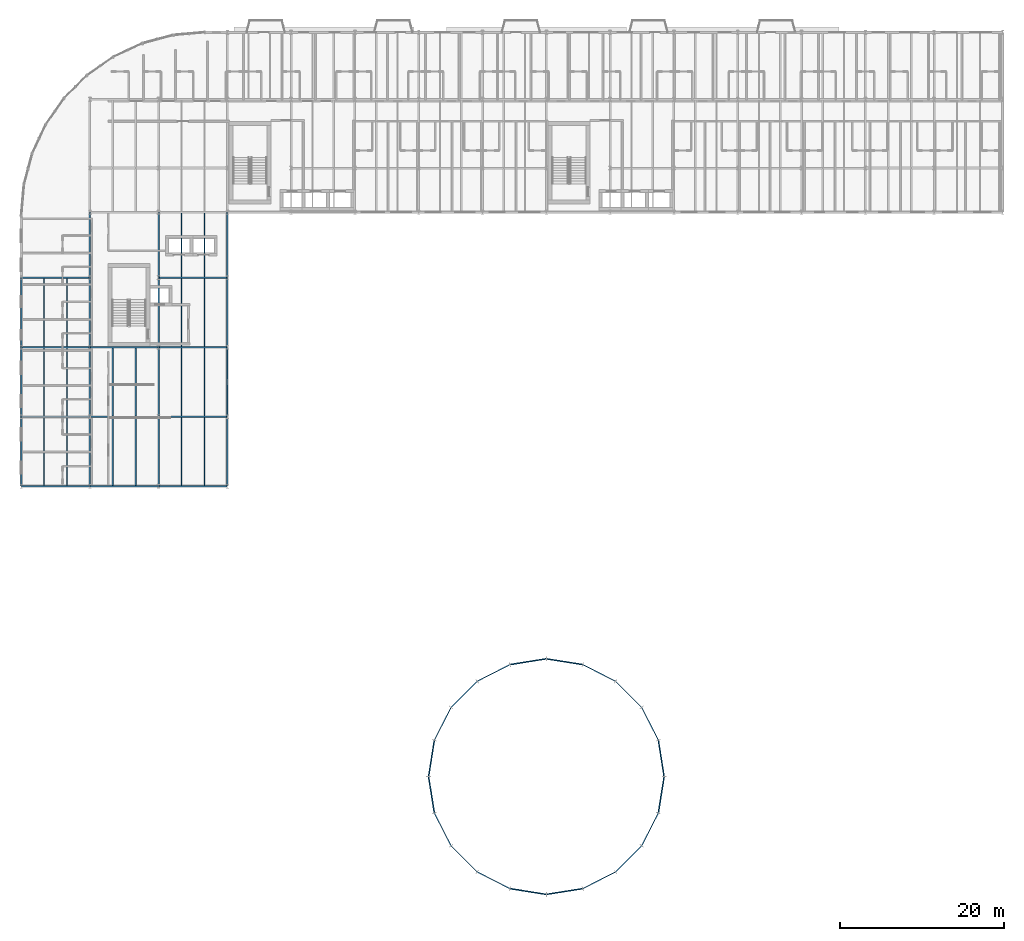
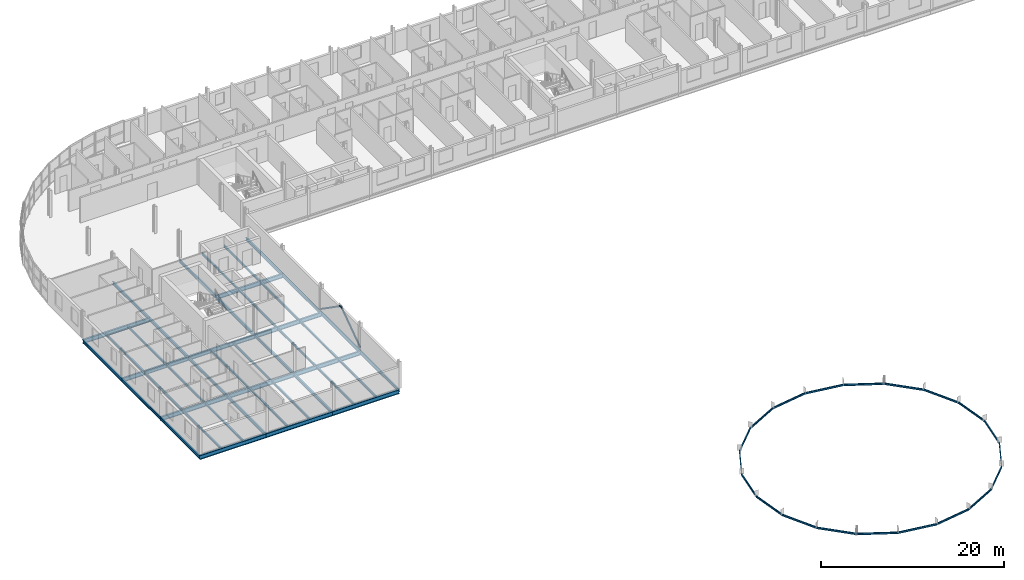
# One storey, part 8 of 36: 44 beams, 22 members.
"""IFC4 building model written with IfcOpenShell, lengths in metres."""

from ifc_helpers import new_model, si_unit, direction, frame, origin, origin_2d, place, context, subcontext, project, spatial, hollow_circle, i_section, extrude, material, material_profile, profile_set, type_object, element, save


model = new_model("IFC4")

# Units and contexts
model_context = context("Model", 3, precision=1e-05, world=origin(), true_north=direction((0.0, 1.0)))
body_context = subcontext(model_context, "Body", "Model", "MODEL_VIEW")
ifc_project = project(units=[si_unit("LENGTHUNIT", "METRE"), si_unit("AREAUNIT", "SQUARE_METRE"), si_unit("VOLUMEUNIT", "CUBIC_METRE"), si_unit("PLANEANGLEUNIT", "RADIAN"), si_unit("MASSUNIT", "GRAM", prefix="KILO")], contexts=[model_context])

# Site, building, storey
site_placement = place(None, origin())
site = spatial("IfcSite", under=ifc_project, at=site_placement, CompositionType="ELEMENT")
building_placement = place(site_placement, origin())
building = spatial("IfcBuilding", under=site, at=building_placement, Name="Sefraquen Railside Congress Hotel", CompositionType="ELEMENT")
storey_placement = place(building_placement, frame((0.0, 0.0, 28.199951171875)))
storey = spatial("IfcBuildingStorey", under=building, at=storey_placement, Name="L06", CompositionType="ELEMENT", Elevation=28.199951171875)

# Beams
ifc_material_1 = material(Name="Steel S355JR", Category="steel")
ifc_material_profile_1 = material_profile(ifc_material_1, i_section(OverallWidth=0.179931640625, OverallDepth=0.39990234375, WebThickness=0.008544921875, FlangeThickness=0.013427734375, FilletRadius=0.02099609375, at=origin_2d()), Name="IPE 400")
ifc_profile_set_1 = profile_set([ifc_material_profile_1], Name="Steel S355JR")
beam_type_1 = type_object("IfcBeamType", Name="TB-BM-400I", PredefinedType="BEAM", material=ifc_profile_set_1)
for number, where, z_axis, x_axis, name in (
    (1, (0.0, 62.5, -0.4599609375), (0.0, 1.0, 0.0), (-1.0, 0.0, 0.0), "Floor beam BM-L06-1649"),
    (2, (0.0, 71.0, -0.4599609375), (0.0, 1.0, 0.0), (-1.0, 0.0, 0.0), "Floor beam BM-L06-1650"),
    (3, (0.0, 79.5, -0.4599609375), (0.0, 1.0, 0.0), (-1.0, 0.0, 0.0), "Floor beam BM-L06-1651"),
    (4, (8.39990234375, 62.5, -0.4599609375), (0.0, 1.0, 0.0), (-1.0, 0.0, 0.0), "Floor beam BM-L06-1652"),
    (5, (8.39990234375, 71.0, -0.4599609375), (0.0, 1.0, 0.0), (-1.0, 0.0, 0.0), "Floor beam BM-L06-1653"),
    (6, (8.39990234375, 79.5, -0.4599609375), (0.0, 1.0, 0.0), (-1.0, 0.0, 0.0), "Floor beam BM-L06-1654"),
):
    element("IfcBeam", number, at=place(storey_placement, frame(where, z_axis=z_axis, x_axis=x_axis)), inside=storey, type_object=beam_type_1, Name=name, PredefinedType="BEAM", context=body_context, shape_type="SweptSolid", body=[
        extrude(i_section(OverallWidth=0.179931640625, OverallDepth=0.39990234375, WebThickness=0.008544921875, FlangeThickness=0.013427734375, FilletRadius=0.02099609375, at=origin_2d()), origin(), (0.0, 0.0, 1.0), 8.5),
    ])
beam_1_placement = place(storey_placement, frame((8.39990234375, 88.0, -0.4599609375), z_axis=(0.0, 1.0, 0.0), x_axis=(-1.0, 0.0, 0.0)))
element("IfcBeam", 7, at=beam_1_placement, inside=storey, type_object=beam_type_1, Name="Floor beam BM-L06-1655", PredefinedType="BEAM", context=body_context, shape_type="SweptSolid", body=[
    extrude(i_section(OverallWidth=0.179931640625, OverallDepth=0.39990234375, WebThickness=0.008544921875, FlangeThickness=0.013427734375, FilletRadius=0.02099609375, at=origin_2d()), origin(), (0.0, 0.0, 1.0), 8.0),
])
for number, where, z_axis, x_axis, name in (
    (8, (16.800048828125, 62.5, -0.4599609375), (0.0, 1.0, 0.0), (-1.0, 0.0, 0.0), "Floor beam BM-L06-1658"),
    (9, (16.800048828125, 71.0, -0.4599609375), (0.0, 1.0, 0.0), (-1.0, 0.0, 0.0), "Floor beam BM-L06-1659"),
    (10, (16.800048828125, 79.5, -0.4599609375), (0.0, 1.0, 0.0), (-1.0, 0.0, 0.0), "Floor beam BM-L06-1660"),
):
    element("IfcBeam", number, at=place(storey_placement, frame(where, z_axis=z_axis, x_axis=x_axis)), inside=storey, type_object=beam_type_1, Name=name, PredefinedType="BEAM", context=body_context, shape_type="SweptSolid", body=[
        extrude(i_section(OverallWidth=0.179931640625, OverallDepth=0.39990234375, WebThickness=0.008544921875, FlangeThickness=0.013427734375, FilletRadius=0.02099609375, at=origin_2d()), origin(), (0.0, 0.0, 1.0), 8.5),
    ])
beam_2_placement = place(storey_placement, frame((16.800048828125, 88.0, -0.4599609375), z_axis=(0.0, 1.0, 0.0), x_axis=(-1.0, 0.0, 0.0)))
element("IfcBeam", 11, at=beam_2_placement, inside=storey, type_object=beam_type_1, Name="Floor beam BM-L06-1661", PredefinedType="BEAM", context=body_context, shape_type="SweptSolid", body=[
    extrude(i_section(OverallWidth=0.179931640625, OverallDepth=0.39990234375, WebThickness=0.008544921875, FlangeThickness=0.013427734375, FilletRadius=0.02099609375, at=origin_2d()), origin(), (0.0, 0.0, 1.0), 8.0),
])
for number, where, z_axis, x_axis, name in (
    (12, (25.199951171875, 62.5, -0.4599609375), (0.0, 1.0, 0.0), (-1.0, 0.0, 0.0), "Floor beam BM-L06-1664"),
    (13, (25.199951171875, 71.0, -0.4599609375), (0.0, 1.0, 0.0), (-1.0, 0.0, 0.0), "Floor beam BM-L06-1665"),
    (14, (25.199951171875, 79.5, -0.4599609375), (0.0, 1.0, 0.0), (-1.0, 0.0, 0.0), "Floor beam BM-L06-1666"),
):
    element("IfcBeam", number, at=place(storey_placement, frame(where, z_axis=z_axis, x_axis=x_axis)), inside=storey, type_object=beam_type_1, Name=name, PredefinedType="BEAM", context=body_context, shape_type="SweptSolid", body=[
        extrude(i_section(OverallWidth=0.179931640625, OverallDepth=0.39990234375, WebThickness=0.008544921875, FlangeThickness=0.013427734375, FilletRadius=0.02099609375, at=origin_2d()), origin(), (0.0, 0.0, 1.0), 8.5),
    ])
beam_3_placement = place(storey_placement, frame((25.199951171875, 88.0, -0.4599609375), z_axis=(0.0, 1.0, 0.0), x_axis=(-1.0, 0.0, 0.0)))
element("IfcBeam", 15, at=beam_3_placement, inside=storey, type_object=beam_type_1, Name="Floor beam BM-L06-1667", PredefinedType="BEAM", context=body_context, shape_type="SweptSolid", body=[
    extrude(i_section(OverallWidth=0.179931640625, OverallDepth=0.39990234375, WebThickness=0.008544921875, FlangeThickness=0.013427734375, FilletRadius=0.02099609375, at=origin_2d()), origin(), (0.0, 0.0, 1.0), 8.0),
])
ifc_material_profile_2 = material_profile(ifc_material_1, i_section(OverallWidth=0.2099609375, OverallDepth=0.550048828125, WebThickness=0.010986328125, FlangeThickness=0.01708984375, FilletRadius=0.02392578125, at=origin_2d()), Name="IPE 550")
ifc_profile_set_2 = profile_set([ifc_material_profile_2], Name="Steel S355JR")
beam_type_2 = type_object("IfcBeamType", Name="TB-GIR-550", PredefinedType="T_BEAM", material=ifc_profile_set_2)
beam_4_placement = place(storey_placement, frame((0.0, 62.5, -0.534912109375), z_axis=(1.0, 0.0, 0.0), x_axis=(0.0, 1.0, 0.0)))
element("IfcBeam", 16, at=beam_4_placement, inside=storey, type_object=beam_type_2, Name="Primary girder BM-L06-1586", PredefinedType="T_BEAM", context=body_context, shape_type="SweptSolid", body=[
    extrude(i_section(OverallWidth=0.2099609375, OverallDepth=0.550048828125, WebThickness=0.010986328125, FlangeThickness=0.01708984375, FilletRadius=0.02392578125, at=origin_2d()), origin(), (0.0, 0.0, 1.0), 8.39990234375),
])
beam_5_placement = place(storey_placement, frame((8.39990234375, 62.5, -0.534912109375), z_axis=(1.0, 0.0, 0.0), x_axis=(0.0, 1.0, 0.0)))
element("IfcBeam", 17, at=beam_5_placement, inside=storey, type_object=beam_type_2, Name="Primary girder BM-L06-1587", PredefinedType="T_BEAM", context=body_context, shape_type="SweptSolid", body=[
    extrude(i_section(OverallWidth=0.2099609375, OverallDepth=0.550048828125, WebThickness=0.010986328125, FlangeThickness=0.01708984375, FilletRadius=0.02392578125, at=origin_2d()), origin(), (0.0, 0.0, 1.0), 8.400146484375),
])
for number, where, z_axis, x_axis, name in (
    (18, (16.800048828125, 62.5, -0.534912109375), (1.0, 0.0, 0.0), (0.0, 1.0, 0.0), "Primary girder BM-L06-1588"),
    (19, (0.0, 71.0, -0.534912109375), (1.0, 0.0, 0.0), (0.0, 1.0, 0.0), "Primary girder BM-L06-1589"),
):
    element("IfcBeam", number, at=place(storey_placement, frame(where, z_axis=z_axis, x_axis=x_axis)), inside=storey, type_object=beam_type_2, Name=name, PredefinedType="T_BEAM", context=body_context, shape_type="SweptSolid", body=[
        extrude(i_section(OverallWidth=0.2099609375, OverallDepth=0.550048828125, WebThickness=0.010986328125, FlangeThickness=0.01708984375, FilletRadius=0.02392578125, at=origin_2d()), origin(), (0.0, 0.0, 1.0), 8.39990234375),
    ])
beam_6_placement = place(storey_placement, frame((8.39990234375, 71.0, -0.534912109375), z_axis=(1.0, 0.0, 0.0), x_axis=(0.0, 1.0, 0.0)))
element("IfcBeam", 20, at=beam_6_placement, inside=storey, type_object=beam_type_2, Name="Primary girder BM-L06-1590", PredefinedType="T_BEAM", context=body_context, shape_type="SweptSolid", body=[
    extrude(i_section(OverallWidth=0.2099609375, OverallDepth=0.550048828125, WebThickness=0.010986328125, FlangeThickness=0.01708984375, FilletRadius=0.02392578125, at=origin_2d()), origin(), (0.0, 0.0, 1.0), 8.400146484375),
])
for number, where, z_axis, x_axis, name in (
    (21, (16.800048828125, 71.0, -0.534912109375), (1.0, 0.0, 0.0), (0.0, 1.0, 0.0), "Primary girder BM-L06-1591"),
    (22, (0.0, 79.5, -0.534912109375), (1.0, 0.0, 0.0), (0.0, 1.0, 0.0), "Primary girder BM-L06-1592"),
):
    element("IfcBeam", number, at=place(storey_placement, frame(where, z_axis=z_axis, x_axis=x_axis)), inside=storey, type_object=beam_type_2, Name=name, PredefinedType="T_BEAM", context=body_context, shape_type="SweptSolid", body=[
        extrude(i_section(OverallWidth=0.2099609375, OverallDepth=0.550048828125, WebThickness=0.010986328125, FlangeThickness=0.01708984375, FilletRadius=0.02392578125, at=origin_2d()), origin(), (0.0, 0.0, 1.0), 8.39990234375),
    ])
beam_7_placement = place(storey_placement, frame((8.39990234375, 79.5, -0.534912109375), z_axis=(1.0, 0.0, 0.0), x_axis=(0.0, 1.0, 0.0)))
element("IfcBeam", 23, at=beam_7_placement, inside=storey, type_object=beam_type_2, Name="Primary girder BM-L06-1593", PredefinedType="T_BEAM", context=body_context, shape_type="SweptSolid", body=[
    extrude(i_section(OverallWidth=0.2099609375, OverallDepth=0.550048828125, WebThickness=0.010986328125, FlangeThickness=0.01708984375, FilletRadius=0.02392578125, at=origin_2d()), origin(), (0.0, 0.0, 1.0), 8.400146484375),
])
for number, where, z_axis, x_axis, name in (
    (24, (16.800048828125, 79.5, -0.534912109375), (1.0, 0.0, 0.0), (0.0, 1.0, 0.0), "Primary girder BM-L06-1594"),
    (25, (0.0, 88.0, -0.534912109375), (1.0, 0.0, 0.0), (0.0, 1.0, 0.0), "Primary girder BM-L06-1595"),
    (26, (16.800048828125, 88.0, -0.534912109375), (1.0, 0.0, 0.0), (0.0, 1.0, 0.0), "Primary girder BM-L06-1596"),
):
    element("IfcBeam", number, at=place(storey_placement, frame(where, z_axis=z_axis, x_axis=x_axis)), inside=storey, type_object=beam_type_2, Name=name, PredefinedType="T_BEAM", context=body_context, shape_type="SweptSolid", body=[
        extrude(i_section(OverallWidth=0.2099609375, OverallDepth=0.550048828125, WebThickness=0.010986328125, FlangeThickness=0.01708984375, FilletRadius=0.02392578125, at=origin_2d()), origin(), (0.0, 0.0, 1.0), 8.39990234375),
    ])
ifc_material_profile_3 = material_profile(ifc_material_1, i_section(OverallWidth=0.14990234375, OverallDepth=0.300048828125, WebThickness=0.007080078125, FlangeThickness=0.0107421875, FilletRadius=0.014892578125, at=origin_2d()), Name="IPE 300")
ifc_profile_set_3 = profile_set([ifc_material_profile_3], Name="Steel S355JR")
beam_type_3 = type_object("IfcBeamType", Name="TB-JST-300", PredefinedType="JOIST", material=ifc_profile_set_3)
for number, where, z_axis, x_axis, name in (
    (27, (2.800048828125, 62.5849609375, -0.409912109375), (0.0, 1.0, 0.0), (-1.0, 0.0, 0.0), "Composite floor joist BM-L06-J1054"),
    (28, (5.60009765625, 62.5849609375, -0.409912109375), (0.0, 1.0, 0.0), (-1.0, 0.0, 0.0), "Composite floor joist BM-L06-J1055"),
    (29, (2.800048828125, 71.0849609375, -0.409912109375), (0.0, 1.0, 0.0), (-1.0, 0.0, 0.0), "Composite floor joist BM-L06-J1056"),
    (30, (5.60009765625, 71.0849609375, -0.409912109375), (0.0, 1.0, 0.0), (-1.0, 0.0, 0.0), "Composite floor joist BM-L06-J1057"),
    (31, (2.800048828125, 79.5849609375, -0.409912109375), (0.0, 1.0, 0.0), (-1.0, 0.0, 0.0), "Composite floor joist BM-L06-J1058"),
    (32, (5.60009765625, 79.5849609375, -0.409912109375), (0.0, 1.0, 0.0), (-1.0, 0.0, 0.0), "Composite floor joist BM-L06-J1059"),
    (33, (11.199951171875, 62.5849609375, -0.409912109375), (0.0, 1.0, 0.0), (-1.0, 0.0, 0.0), "Composite floor joist BM-L06-J1060"),
    (34, (14.0, 62.5849609375, -0.409912109375), (0.0, 1.0, 0.0), (-1.0, 0.0, 0.0), "Composite floor joist BM-L06-J1061"),
    (35, (11.199951171875, 71.0849609375, -0.409912109375), (0.0, 1.0, 0.0), (-1.0, 0.0, 0.0), "Composite floor joist BM-L06-J1062"),
    (36, (14.0, 71.0849609375, -0.409912109375), (0.0, 1.0, 0.0), (-1.0, 0.0, 0.0), "Composite floor joist BM-L06-J1063"),
    (37, (19.60009765625, 62.5849609375, -0.409912109375), (0.0, 1.0, 0.0), (-1.0, 0.0, 0.0), "Composite floor joist BM-L06-J1068"),
    (38, (22.39990234375, 62.5849609375, -0.409912109375), (0.0, 1.0, 0.0), (-1.0, 0.0, 0.0), "Composite floor joist BM-L06-J1069"),
    (39, (19.60009765625, 71.0849609375, -0.409912109375), (0.0, 1.0, 0.0), (-1.0, 0.0, 0.0), "Composite floor joist BM-L06-J1070"),
    (40, (22.39990234375, 71.0849609375, -0.409912109375), (0.0, 1.0, 0.0), (-1.0, 0.0, 0.0), "Composite floor joist BM-L06-J1071"),
    (41, (19.60009765625, 79.5849609375, -0.409912109375), (0.0, 1.0, 0.0), (-1.0, 0.0, 0.0), "Composite floor joist BM-L06-J1072"),
    (42, (22.39990234375, 79.5849609375, -0.409912109375), (0.0, 1.0, 0.0), (-1.0, 0.0, 0.0), "Composite floor joist BM-L06-J1073"),
):
    element("IfcBeam", number, at=place(storey_placement, frame(where, z_axis=z_axis, x_axis=x_axis)), inside=storey, type_object=beam_type_3, Name=name, PredefinedType="JOIST", context=body_context, shape_type="SweptSolid", body=[
        extrude(i_section(OverallWidth=0.14990234375, OverallDepth=0.300048828125, WebThickness=0.007080078125, FlangeThickness=0.0107421875, FilletRadius=0.014892578125, at=origin_2d()), origin(), (0.0, 0.0, 1.0), 8.330078125),
    ])
for number, where, z_axis, x_axis, name in (
    (43, (19.60009765625, 88.0849609375, -0.409912109375), (0.0, 1.0, 0.0), (-1.0, 0.0, 0.0), "Composite floor joist BM-L06-J1074"),
    (44, (22.39990234375, 88.0849609375, -0.409912109375), (0.0, 1.0, 0.0), (-1.0, 0.0, 0.0), "Composite floor joist BM-L06-J1075"),
):
    element("IfcBeam", number, at=place(storey_placement, frame(where, z_axis=z_axis, x_axis=x_axis)), inside=storey, type_object=beam_type_3, Name=name, PredefinedType="JOIST", context=body_context, shape_type="SweptSolid", body=[
        extrude(i_section(OverallWidth=0.14990234375, OverallDepth=0.300048828125, WebThickness=0.007080078125, FlangeThickness=0.0107421875, FilletRadius=0.014892578125, at=origin_2d()), origin(), (0.0, 0.0, 1.0), 7.830078125),
    ])

# Members
ifc_material_2 = material(Name="Steel S355J2", Category="steel")
ifc_material_profile_4 = material_profile(ifc_material_2, hollow_circle(Radius=0.109619140625, WallThickness=0.010009765625, at=origin_2d()), Name="CHS 219.1x10")
ifc_profile_set_4 = profile_set([ifc_material_profile_4], Name="Steel S355J2")
member_type_1 = type_object("IfcMemberType", Name="TM-BR-219", PredefinedType="BRACE", material=ifc_profile_set_4)
for number, where, z_axis, x_axis, name in (
    (45, (25.199951171875, 71.0, 0.150146484375), (0.0, 0.820593783001, 0.571511892527), (-1.0, 0.0, 0.0), "Chevron braced-frame diagonal BF2-L L06"),
    (46, (25.199951171875, 79.5, 0.150146484375), (0.0, -0.820593783001, 0.571511892527), (1.0, 0.0, 0.0), "Chevron braced-frame diagonal BF2-R L06"),
):
    element("IfcMember", number, at=place(storey_placement, frame(where, z_axis=z_axis, x_axis=x_axis)), inside=storey, type_object=member_type_1, Name=name, PredefinedType="BRACE", context=body_context, shape_type="SweptSolid", body=[
        extrude(hollow_circle(Radius=0.109619140625, WallThickness=0.010009765625, at=origin_2d()), origin(), (0.0, 0.0, 1.0), 5.17919921875),
    ])
ifc_material_profile_5 = material_profile(ifc_material_1, i_section(OverallWidth=0.1201171875, OverallDepth=0.239990234375, WebThickness=0.006103515625, FlangeThickness=0.009765625, FilletRadius=0.014892578125, at=origin_2d()), Name="IPE 240")
ifc_profile_set_5 = profile_set([ifc_material_profile_5], Name="Steel S355JR")
member_type_2 = type_object("IfcMemberType", Name="TM-PUR-240", PredefinedType="PURLIN", material=ifc_profile_set_5)
member_1_placement = place(storey_placement, frame((78.60009765625, 27.0, -1.679931640625), z_axis=(-0.156449541595, 0.987685952585, 0.0), x_axis=(-0.987685952585, -0.156449541595, 0.0)))
element("IfcMember", 47, at=member_1_placement, inside=storey, type_object=member_type_2, Name="Congress Dome lower purlin ring 01", PredefinedType="PURLIN", context=body_context, shape_type="SweptSolid", body=[
    extrude(i_section(OverallWidth=0.1201171875, OverallDepth=0.239990234375, WebThickness=0.006103515625, FlangeThickness=0.009765625, FilletRadius=0.014892578125, at=origin_2d()), origin(), (0.0, 0.0, 1.0), 4.505126953125),
])
for number, where, z_axis, x_axis, name in (
    (48, (77.895263671875, 31.44970703125, -1.679931640625), (-0.453985037746, 0.891009307192, 0.0), (-0.891009307192, -0.453985037746, 0.0), "Congress Dome lower purlin ring 02"),
    (49, (75.849853515625, 35.464111328125, -1.679931640625), (-0.707106781187, 0.707106781187, 0.0), (-0.707106781187, -0.707106781187, 0.0), "Congress Dome lower purlin ring 03"),
):
    element("IfcMember", number, at=place(storey_placement, frame(where, z_axis=z_axis, x_axis=x_axis)), inside=storey, type_object=member_type_2, Name=name, PredefinedType="PURLIN", context=body_context, shape_type="SweptSolid", body=[
        extrude(i_section(OverallWidth=0.1201171875, OverallDepth=0.239990234375, WebThickness=0.006103515625, FlangeThickness=0.009765625, FilletRadius=0.014892578125, at=origin_2d()), origin(), (0.0, 0.0, 1.0), 4.50537109375),
    ])
member_2_placement = place(storey_placement, frame((72.6640625, 38.64990234375, -1.679931640625), z_axis=(-0.890998138155, 0.45400695788, 0.0), x_axis=(-0.45400695788, -0.890998138155, 0.0)))
element("IfcMember", 50, at=member_2_placement, inside=storey, type_object=member_type_2, Name="Congress Dome lower purlin ring 04", PredefinedType="PURLIN", context=body_context, shape_type="SweptSolid", body=[
    extrude(i_section(OverallWidth=0.1201171875, OverallDepth=0.239990234375, WebThickness=0.006103515625, FlangeThickness=0.009765625, FilletRadius=0.014892578125, at=origin_2d()), origin(), (0.0, 0.0, 1.0), 4.505126953125),
])
member_3_placement = place(storey_placement, frame((68.64990234375, 40.6953125, -1.679931640625), z_axis=(-0.987695650418, 0.156388305651, 0.0), x_axis=(-0.156388305651, -0.987695650418, 0.0)))
element("IfcMember", 51, at=member_3_placement, inside=storey, type_object=member_type_2, Name="Congress Dome lower purlin ring 05", PredefinedType="PURLIN", context=body_context, shape_type="SweptSolid", body=[
    extrude(i_section(OverallWidth=0.1201171875, OverallDepth=0.239990234375, WebThickness=0.006103515625, FlangeThickness=0.009765625, FilletRadius=0.014892578125, at=origin_2d()), origin(), (0.0, 0.0, 1.0), 4.50537109375),
])
member_4_placement = place(storey_placement, frame((64.199951171875, 41.39990234375, -1.679931640625), z_axis=(-0.987694325005, -0.156396676285, 0.0), x_axis=(0.156396676285, -0.987694325005, 0.0)))
element("IfcMember", 52, at=member_4_placement, inside=storey, type_object=member_type_2, Name="Congress Dome lower purlin ring 06", PredefinedType="PURLIN", context=body_context, shape_type="SweptSolid", body=[
    extrude(i_section(OverallWidth=0.1201171875, OverallDepth=0.239990234375, WebThickness=0.006103515625, FlangeThickness=0.009765625, FilletRadius=0.014892578125, at=origin_2d()), origin(), (0.0, 0.0, 1.0), 4.505126953125),
])
member_5_placement = place(storey_placement, frame((59.750244140625, 40.6953125, -1.679931640625), z_axis=(-0.891009307192, -0.453985037746, 0.0), x_axis=(0.453985037746, -0.891009307192, 0.0)))
element("IfcMember", 53, at=member_5_placement, inside=storey, type_object=member_type_2, Name="Congress Dome lower purlin ring 07", PredefinedType="PURLIN", context=body_context, shape_type="SweptSolid", body=[
    extrude(i_section(OverallWidth=0.1201171875, OverallDepth=0.239990234375, WebThickness=0.006103515625, FlangeThickness=0.009765625, FilletRadius=0.014892578125, at=origin_2d()), origin(), (0.0, 0.0, 1.0), 4.50537109375),
])
member_6_placement = place(storey_placement, frame((55.73583984375, 38.64990234375, -1.679931640625), z_axis=(-0.707079685339, -0.707133875996, 0.0), x_axis=(0.707133875996, -0.707079685339, 0.0)))
element("IfcMember", 54, at=member_6_placement, inside=storey, type_object=member_type_2, Name="Congress Dome lower purlin ring 08", PredefinedType="PURLIN", context=body_context, shape_type="SweptSolid", body=[
    extrude(i_section(OverallWidth=0.1201171875, OverallDepth=0.239990234375, WebThickness=0.006103515625, FlangeThickness=0.009765625, FilletRadius=0.014892578125, at=origin_2d()), origin(), (0.0, 0.0, 1.0), 4.505126953125),
])
member_7_placement = place(storey_placement, frame((52.55029296875, 35.464111328125, -1.679931640625), z_axis=(-0.453985037746, -0.891009307192, 0.0), x_axis=(0.891009307192, -0.453985037746, 0.0)))
element("IfcMember", 55, at=member_7_placement, inside=storey, type_object=member_type_2, Name="Congress Dome lower purlin ring 09", PredefinedType="PURLIN", context=body_context, shape_type="SweptSolid", body=[
    extrude(i_section(OverallWidth=0.1201171875, OverallDepth=0.239990234375, WebThickness=0.006103515625, FlangeThickness=0.009765625, FilletRadius=0.014892578125, at=origin_2d()), origin(), (0.0, 0.0, 1.0), 4.50537109375),
])
for number, where, z_axis, x_axis, name in (
    (56, (50.5048828125, 31.44970703125, -1.679931640625), (-0.156449541595, -0.987685952585, 0.0), (0.987685952585, -0.156449541595, 0.0), "Congress Dome lower purlin ring 10"),
    (57, (49.800048828125, 27.0, -1.679931640625), (0.156449541595, -0.987685952585, 0.0), (0.987685952585, 0.156449541595, 0.0), "Congress Dome lower purlin ring 11"),
):
    element("IfcMember", number, at=place(storey_placement, frame(where, z_axis=z_axis, x_axis=x_axis)), inside=storey, type_object=member_type_2, Name=name, PredefinedType="PURLIN", context=body_context, shape_type="SweptSolid", body=[
        extrude(i_section(OverallWidth=0.1201171875, OverallDepth=0.239990234375, WebThickness=0.006103515625, FlangeThickness=0.009765625, FilletRadius=0.014892578125, at=origin_2d()), origin(), (0.0, 0.0, 1.0), 4.505126953125),
    ])
member_8_placement = place(storey_placement, frame((50.5048828125, 22.55029296875, -1.679931640625), z_axis=(0.453985037746, -0.891009307192, 0.0), x_axis=(0.891009307192, 0.453985037746, 0.0)))
element("IfcMember", 58, at=member_8_placement, inside=storey, type_object=member_type_2, Name="Congress Dome lower purlin ring 12", PredefinedType="PURLIN", context=body_context, shape_type="SweptSolid", body=[
    extrude(i_section(OverallWidth=0.1201171875, OverallDepth=0.239990234375, WebThickness=0.006103515625, FlangeThickness=0.009765625, FilletRadius=0.014892578125, at=origin_2d()), origin(), (0.0, 0.0, 1.0), 4.50537109375),
])
member_9_placement = place(storey_placement, frame((52.55029296875, 18.535888671875, -1.679931640625), z_axis=(0.707079685339, -0.707133875996, 0.0), x_axis=(0.707133875996, 0.707079685339, 0.0)))
element("IfcMember", 59, at=member_9_placement, inside=storey, type_object=member_type_2, Name="Congress Dome lower purlin ring 13", PredefinedType="PURLIN", context=body_context, shape_type="SweptSolid", body=[
    extrude(i_section(OverallWidth=0.1201171875, OverallDepth=0.239990234375, WebThickness=0.006103515625, FlangeThickness=0.009765625, FilletRadius=0.014892578125, at=origin_2d()), origin(), (0.0, 0.0, 1.0), 4.505126953125),
])
member_10_placement = place(storey_placement, frame((55.73583984375, 15.35009765625, -1.679931640625), z_axis=(0.891009307192, -0.453985037746, 0.0), x_axis=(0.453985037746, 0.891009307192, 0.0)))
element("IfcMember", 60, at=member_10_placement, inside=storey, type_object=member_type_2, Name="Congress Dome lower purlin ring 14", PredefinedType="PURLIN", context=body_context, shape_type="SweptSolid", body=[
    extrude(i_section(OverallWidth=0.1201171875, OverallDepth=0.239990234375, WebThickness=0.006103515625, FlangeThickness=0.009765625, FilletRadius=0.014892578125, at=origin_2d()), origin(), (0.0, 0.0, 1.0), 4.50537109375),
])
member_11_placement = place(storey_placement, frame((59.750244140625, 13.3046875, -1.679931640625), z_axis=(0.987694325005, -0.156396676285, 0.0), x_axis=(0.156396676285, 0.987694325005, 0.0)))
element("IfcMember", 61, at=member_11_placement, inside=storey, type_object=member_type_2, Name="Congress Dome lower purlin ring 15", PredefinedType="PURLIN", context=body_context, shape_type="SweptSolid", body=[
    extrude(i_section(OverallWidth=0.1201171875, OverallDepth=0.239990234375, WebThickness=0.006103515625, FlangeThickness=0.009765625, FilletRadius=0.014892578125, at=origin_2d()), origin(), (0.0, 0.0, 1.0), 4.505126953125),
])
member_12_placement = place(storey_placement, frame((64.199951171875, 12.60009765625, -1.679931640625), z_axis=(0.987695650418, 0.156388305651, 0.0), x_axis=(-0.156388305651, 0.987695650418, 0.0)))
element("IfcMember", 62, at=member_12_placement, inside=storey, type_object=member_type_2, Name="Congress Dome lower purlin ring 16", PredefinedType="PURLIN", context=body_context, shape_type="SweptSolid", body=[
    extrude(i_section(OverallWidth=0.1201171875, OverallDepth=0.239990234375, WebThickness=0.006103515625, FlangeThickness=0.009765625, FilletRadius=0.014892578125, at=origin_2d()), origin(), (0.0, 0.0, 1.0), 4.50537109375),
])
member_13_placement = place(storey_placement, frame((68.64990234375, 13.3046875, -1.679931640625), z_axis=(0.890998138155, 0.45400695788, 0.0), x_axis=(-0.45400695788, 0.890998138155, 0.0)))
element("IfcMember", 63, at=member_13_placement, inside=storey, type_object=member_type_2, Name="Congress Dome lower purlin ring 17", PredefinedType="PURLIN", context=body_context, shape_type="SweptSolid", body=[
    extrude(i_section(OverallWidth=0.1201171875, OverallDepth=0.239990234375, WebThickness=0.006103515625, FlangeThickness=0.009765625, FilletRadius=0.014892578125, at=origin_2d()), origin(), (0.0, 0.0, 1.0), 4.505126953125),
])
for number, where, z_axis, x_axis, name in (
    (64, (72.6640625, 15.35009765625, -1.679931640625), (0.707106781187, 0.707106781187, 0.0), (-0.707106781187, 0.707106781187, 0.0), "Congress Dome lower purlin ring 18"),
    (65, (75.849853515625, 18.535888671875, -1.679931640625), (0.453985037746, 0.891009307192, 0.0), (-0.891009307192, 0.453985037746, 0.0), "Congress Dome lower purlin ring 19"),
):
    element("IfcMember", number, at=place(storey_placement, frame(where, z_axis=z_axis, x_axis=x_axis)), inside=storey, type_object=member_type_2, Name=name, PredefinedType="PURLIN", context=body_context, shape_type="SweptSolid", body=[
        extrude(i_section(OverallWidth=0.1201171875, OverallDepth=0.239990234375, WebThickness=0.006103515625, FlangeThickness=0.009765625, FilletRadius=0.014892578125, at=origin_2d()), origin(), (0.0, 0.0, 1.0), 4.50537109375),
    ])
member_14_placement = place(storey_placement, frame((77.895263671875, 22.55029296875, -1.679931640625), z_axis=(0.156449541595, 0.987685952585, 0.0), x_axis=(-0.987685952585, 0.156449541595, 0.0)))
element("IfcMember", 66, at=member_14_placement, inside=storey, type_object=member_type_2, Name="Congress Dome lower purlin ring 20", PredefinedType="PURLIN", context=body_context, shape_type="SweptSolid", body=[
    extrude(i_section(OverallWidth=0.1201171875, OverallDepth=0.239990234375, WebThickness=0.006103515625, FlangeThickness=0.009765625, FilletRadius=0.014892578125, at=origin_2d()), origin(), (0.0, 0.0, 1.0), 4.505126953125),
])

save(model, "model.ifc")
